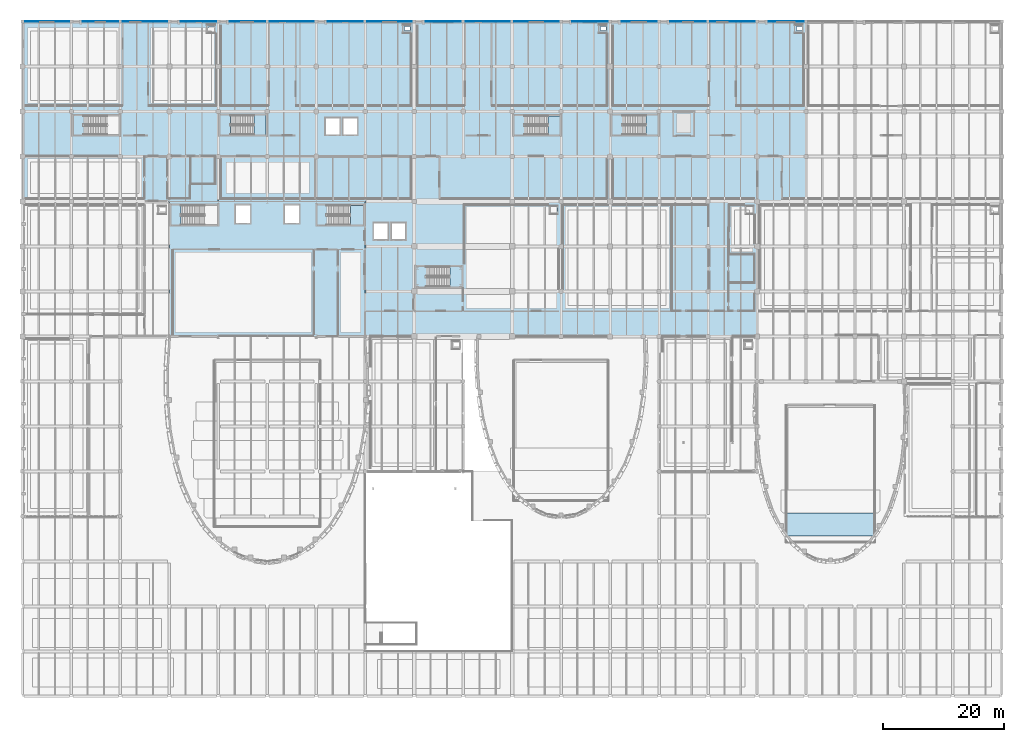
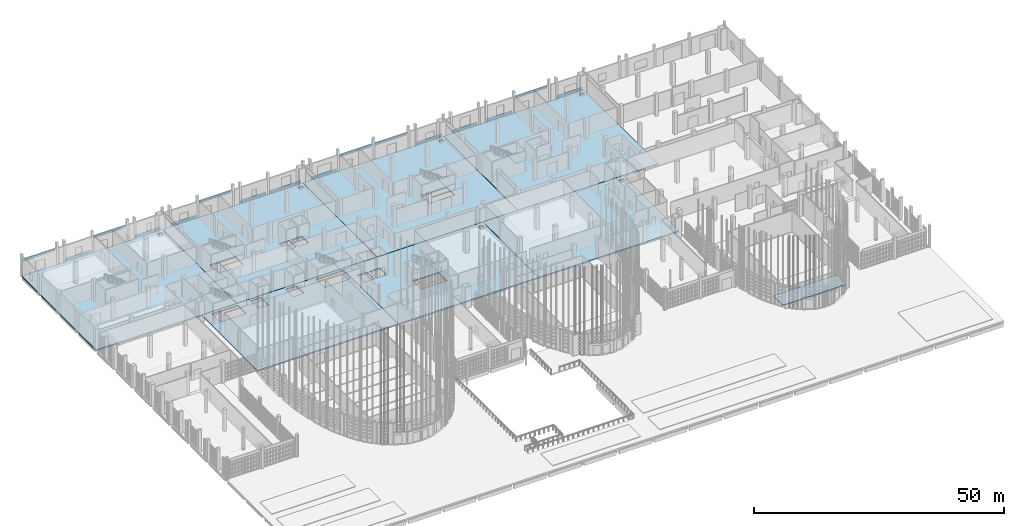
# One storey, part 338 of 372: 16 plates, 13 slabs, 5 elements without a shape of their own.
"""IFC4 building model written with IfcOpenShell, lengths in metres."""

from ifc_helpers import new_model, si_unit, direction, frame, origin, origin_2d, place, context, subcontext, project, spatial, polyline, rectangle, outline, extrude, material, layer, layer_set, type_object, element, aggregate, save


model = new_model("IFC4")

# Units and contexts
model_context = context("Model", 3, precision=1e-05, world=origin(), true_north=direction((0.0, 1.0)))
body_context = subcontext(model_context, "Body", "Model", "MODEL_VIEW")
ifc_project = project(units=[si_unit("LENGTHUNIT", "METRE"), si_unit("AREAUNIT", "SQUARE_METRE"), si_unit("VOLUMEUNIT", "CUBIC_METRE"), si_unit("PLANEANGLEUNIT", "RADIAN"), si_unit("MASSUNIT", "GRAM", prefix="KILO")], contexts=[model_context])

# Site, building, storey
site_placement = place(None, origin())
site = spatial("IfcSite", under=ifc_project, at=site_placement, CompositionType="ELEMENT")
building_placement = place(site_placement, origin())
building = spatial("IfcBuilding", under=site, at=building_placement, Name="Kaelora Sail Theatre", CompositionType="ELEMENT")
storey_placement = place(building_placement, origin())
storey = spatial("IfcBuildingStorey", under=building, at=storey_placement, Name="L00", CompositionType="ELEMENT", Elevation=0.0)

# Plates
ifc_material_1 = material(Name="Anodised perforated aluminium acoustic screen", Category="aluminium")
ifc_layer_1 = layer(ifc_material_1, 0.01611328125)
ifc_layer_set_1 = layer_set([ifc_layer_1], Name="Anodised perforated aluminium acoustic screen")
plate_type_1 = type_object("IfcPlateType", Name="ARC-PL-CLD-PRF-16", PredefinedType="USERDEFINED", material=ifc_layer_set_1)
for number, where, z_axis, x_axis, name in (
    (1, (21.75, 113.101318359375, 3.35693359375), (0.0, 0.0, 1.0), (1.0, 0.0, 0.0), "Postmodern Facade Entablature Spandrel L00 B03"),
    (2, (46.050048828125, 113.101318359375, 3.35693359375), (0.0, 0.0, 1.0), (1.0, 0.0, 0.0), "Postmodern Facade Entablature Spandrel L00 B06"),
):
    element("IfcPlate", number, at=place(storey_placement, frame(where, z_axis=z_axis, x_axis=x_axis)), inside=storey, type_object=plate_type_1, Name=name, ObjectType="ACOUSTIC SCREEN", PredefinedType="USERDEFINED", context=body_context, shape_type="SweptSolid", body=[
        extrude(rectangle(XDim=7.35009765625, YDim=0.01611328125, at=origin_2d()), origin(), (0.0, 0.0, 1.0), 0.719970703125),
    ])
plate_1_placement = place(storey_placement, frame((71.112548828125, 113.101318359375, 0.06005859375), z_axis=(0.0, 0.0, 1.0), x_axis=(1.0, 0.0, 0.0)))
element("IfcPlate", 3, at=plate_1_placement, inside=storey, type_object=plate_type_1, Name="Postmodern Facade Entablature Spandrel L00 B09", ObjectType="ACOUSTIC SCREEN", PredefinedType="USERDEFINED", context=body_context, shape_type="SweptSolid", body=[
    extrude(rectangle(XDim=5.824951171875, YDim=0.01611328125, at=origin_2d()), origin(), (0.0, 0.0, 1.0), 0.719970703125),
])
plate_2_placement = place(storey_placement, frame((95.39990234375, 113.101318359375, 0.06005859375), z_axis=(0.0, 0.0, 1.0), x_axis=(1.0, 0.0, 0.0)))
element("IfcPlate", 4, at=plate_2_placement, inside=storey, type_object=plate_type_1, Name="Postmodern Facade Entablature Spandrel L00 B12", ObjectType="ACOUSTIC SCREEN", PredefinedType="USERDEFINED", context=body_context, shape_type="SweptSolid", body=[
    extrude(rectangle(XDim=5.85009765625, YDim=0.01611328125, at=origin_2d()), origin(), (0.0, 0.0, 1.0), 0.719970703125),
])
plate_3_placement = place(storey_placement, frame((118.949951171875, 113.101318359375, 3.35693359375), z_axis=(0.0, 0.0, 1.0), x_axis=(1.0, 0.0, 0.0)))
element("IfcPlate", 5, at=plate_3_placement, inside=storey, type_object=plate_type_1, Name="Postmodern Facade Entablature Spandrel L00 B15", ObjectType="ACOUSTIC SCREEN", PredefinedType="USERDEFINED", context=body_context, shape_type="SweptSolid", body=[
    extrude(rectangle(XDim=7.35009765625, YDim=0.01611328125, at=origin_2d()), origin(), (0.0, 0.0, 1.0), 0.719970703125),
])
ifc_material_2 = material(Name="Architectural glazed terracotta ceramic panel", Category="masonry")
ifc_layer_2 = layer(ifc_material_2, 0.0400390625)
ifc_layer_set_2 = layer_set([ifc_layer_2], Name="Architectural glazed terracotta ceramic panel")
plate_type_2 = type_object("IfcPlateType", Name="ARC-PL-CLD-TER-40", PredefinedType="SHEET", material=ifc_layer_set_2)
plate_4_placement = place(storey_placement, frame((5.550048828125, 113.111083984375, 3.35693359375), z_axis=(0.0, 0.0, 1.0), x_axis=(1.0, 0.0, 0.0)))
element("IfcPlate", 6, at=plate_4_placement, inside=storey, type_object=plate_type_2, Name="Postmodern Facade Entablature Spandrel L00 B01", PredefinedType="SHEET", context=body_context, shape_type="SweptSolid", body=[
    extrude(rectangle(XDim=7.35009765625, YDim=0.0400390625, at=origin_2d()), origin(), (0.0, 0.0, 1.0), 0.719970703125),
])
for number, where, z_axis, x_axis, name in (
    (7, (30.60009765625, 113.111083984375, 0.06005859375), (0.0, 0.0, 1.0), (1.0, 0.0, 0.0), "Postmodern Facade Entablature Spandrel L00 B04"),
    (8, (54.89990234375, 113.111083984375, 0.06005859375), (0.0, 0.0, 1.0), (1.0, 0.0, 0.0), "Postmodern Facade Entablature Spandrel L00 B07"),
):
    element("IfcPlate", number, at=place(storey_placement, frame(where, z_axis=z_axis, x_axis=x_axis)), inside=storey, type_object=plate_type_2, Name=name, PredefinedType="SHEET", context=body_context, shape_type="SweptSolid", body=[
        extrude(rectangle(XDim=5.85009765625, YDim=0.0400390625, at=origin_2d()), origin(), (0.0, 0.0, 1.0), 0.719970703125),
    ])
plate_5_placement = place(storey_placement, frame((78.449951171875, 113.111083984375, 3.2568359375), z_axis=(0.0, 0.0, 1.0), x_axis=(1.0, 0.0, 0.0)))
element("IfcPlate", 9, at=plate_5_placement, inside=storey, type_object=plate_type_2, Name="Postmodern Facade Entablature Spandrel L00 B10", PredefinedType="SHEET", context=body_context, shape_type="SweptSolid", body=[
    extrude(rectangle(XDim=7.35009765625, YDim=0.0400390625, at=origin_2d()), origin(), (0.0, 0.0, 1.0), 0.719970703125),
])
for number, where, z_axis, x_axis, name in (
    (10, (103.512451171875, 113.111083984375, 0.06005859375), (0.0, 0.0, 1.0), (1.0, 0.0, 0.0), "Postmodern Facade Entablature Spandrel L00 B13"),
    (11, (127.8125, 113.111083984375, 0.06005859375), (0.0, 0.0, 1.0), (1.0, 0.0, 0.0), "Postmodern Facade Entablature Spandrel L00 B16"),
):
    element("IfcPlate", number, at=place(storey_placement, frame(where, z_axis=z_axis, x_axis=x_axis)), inside=storey, type_object=plate_type_2, Name=name, PredefinedType="SHEET", context=body_context, shape_type="SweptSolid", body=[
        extrude(rectangle(XDim=5.824951171875, YDim=0.0400390625, at=origin_2d()), origin(), (0.0, 0.0, 1.0), 0.719970703125),
    ])
ifc_material_3 = material(Name="Titanium-zinc acoustic standing-seam cassette", Category="metal")
ifc_layer_3 = layer(ifc_material_3, 0.028076171875)
ifc_layer_set_3 = layer_set([ifc_layer_3], Name="Titanium-zinc acoustic standing-seam cassette")
plate_type_3 = type_object("IfcPlateType", Name="ARC-PL-CLD-ZNC-28", PredefinedType="SHEET", material=ifc_layer_set_3)
for number, where, z_axis, x_axis, name in (
    (12, (14.41259765625, 113.106201171875, 0.06005859375), (0.0, 0.0, 1.0), (1.0, 0.0, 0.0), "Postmodern Facade Entablature Spandrel L00 B02"),
    (13, (38.71240234375, 113.106201171875, 0.06005859375), (0.0, 0.0, 1.0), (1.0, 0.0, 0.0), "Postmodern Facade Entablature Spandrel L00 B05"),
):
    element("IfcPlate", number, at=place(storey_placement, frame(where, z_axis=z_axis, x_axis=x_axis)), inside=storey, type_object=plate_type_3, Name=name, PredefinedType="SHEET", context=body_context, shape_type="SweptSolid", body=[
        extrude(rectangle(XDim=5.824951171875, YDim=0.028076171875, at=origin_2d()), origin(), (0.0, 0.0, 1.0), 0.719970703125),
    ])
for number, where, z_axis, x_axis, name in (
    (14, (62.25, 113.106201171875, 0.06005859375), (0.0, 0.0, 1.0), (1.0, 0.0, 0.0), "Postmodern Facade Entablature Spandrel L00 B08"),
    (15, (86.550048828125, 113.106201171875, 3.2568359375), (0.0, 0.0, 1.0), (1.0, 0.0, 0.0), "Postmodern Facade Entablature Spandrel L00 B11"),
):
    element("IfcPlate", number, at=place(storey_placement, frame(where, z_axis=z_axis, x_axis=x_axis)), inside=storey, type_object=plate_type_3, Name=name, PredefinedType="SHEET", context=body_context, shape_type="SweptSolid", body=[
        extrude(rectangle(XDim=7.35009765625, YDim=0.028076171875, at=origin_2d()), origin(), (0.0, 0.0, 1.0), 0.719970703125),
    ])
plate_6_placement = place(storey_placement, frame((111.60009765625, 113.106201171875, 0.06005859375), z_axis=(0.0, 0.0, 1.0), x_axis=(1.0, 0.0, 0.0)))
element("IfcPlate", 16, at=plate_6_placement, inside=storey, type_object=plate_type_3, Name="Postmodern Facade Entablature Spandrel L00 B14", PredefinedType="SHEET", context=body_context, shape_type="SweptSolid", body=[
    extrude(rectangle(XDim=5.85009765625, YDim=0.028076171875, at=origin_2d()), origin(), (0.0, 0.0, 1.0), 0.719970703125),
])

# Stair, slab
ifc_material_4 = material(Name="Concrete C40/50", Category="concrete")
stair_type_1 = type_object("IfcStairType", Name="ARC-ST-ESC150", PredefinedType="HALF_TURN_STAIR", material=ifc_material_4)
stair_1_placement = place(storey_placement, origin())
stair_1 = element("IfcStair", 17, at=stair_1_placement, inside=storey, type_object=stair_type_1, Name="L00 ST-K5", PredefinedType="HALF_TURN_STAIR")
ifc_material_5 = material(Name="Concrete C40/50", Category="concrete")
ifc_layer_4 = layer(ifc_material_5, 0.219970703125)
ifc_layer_set_4 = layer_set([ifc_layer_4], Name="Concrete C40/50")
slab_type_1 = type_object("IfcSlabType", Name="ARC-SLB-LND220", PredefinedType="LANDING", material=ifc_layer_set_4)
slab_1_placement = place(storey_placement, frame((0.0, 0.0, 2.5)))
slab_1 = element("IfcSlab", 18, at=slab_1_placement, type_object=slab_type_1, Name="ST-K5 landing 1", PredefinedType="LANDING", context=body_context, shape_type="SweptSolid", body=[
    extrude(outline(polyline([(55.72998046875, 79.449951171875), (57.89990234375, 79.449951171875), (57.89990234375, 82.699951171875), (55.72998046875, 82.699951171875), (55.72998046875, 79.449951171875)])), origin(), (0.0, 0.0, 1.0), 0.199951171875),
])
aggregate(stair_1, [slab_1])

stair_2_placement = place(storey_placement, origin())
stair_2 = element("IfcStair", 19, at=stair_2_placement, inside=storey, type_object=stair_type_1, Name="L00 ST-K2", PredefinedType="HALF_TURN_STAIR")
slab_2_placement = place(storey_placement, frame((0.0, 0.0, 2.5)))
slab_2 = element("IfcSlab", 20, at=slab_2_placement, type_object=slab_type_1, Name="ST-K2 landing 1", PredefinedType="LANDING", context=body_context, shape_type="SweptSolid", body=[
    extrude(outline(polyline([(39.820068359375, 94.35009765625), (41.800048828125, 94.35009765625), (41.800048828125, 97.60009765625), (39.820068359375, 97.60009765625), (39.820068359375, 94.35009765625)])), origin(), (0.0, 0.0, 1.0), 0.199951171875),
])
aggregate(stair_2, [slab_2])

stair_3_placement = place(storey_placement, origin())
stair_3 = element("IfcStair", 21, at=stair_3_placement, inside=storey, type_object=stair_type_1, Name="L00 ST-K3", PredefinedType="HALF_TURN_STAIR")
slab_3_placement = place(storey_placement, frame((0.0, 0.0, 2.5)))
slab_3 = element("IfcSlab", 22, at=slab_3_placement, type_object=slab_type_1, Name="ST-K3 landing 1", PredefinedType="LANDING", context=body_context, shape_type="SweptSolid", body=[
    extrude(outline(polyline([(88.419921875, 94.35009765625), (90.39990234375, 94.35009765625), (90.39990234375, 97.5), (88.419921875, 97.5), (88.419921875, 94.35009765625)])), origin(), (0.0, 0.0, 1.0), 0.199951171875),
])
aggregate(stair_3, [slab_3])

stair_4_placement = place(storey_placement, origin())
stair_4 = element("IfcStair", 23, at=stair_4_placement, inside=storey, type_object=stair_type_1, Name="L00 ST-K4", PredefinedType="HALF_TURN_STAIR")
slab_4_placement = place(storey_placement, frame((0.0, 0.0, 2.5)))
slab_4 = element("IfcSlab", 24, at=slab_4_placement, type_object=slab_type_1, Name="ST-K4 landing 1", PredefinedType="LANDING", context=body_context, shape_type="SweptSolid", body=[
    extrude(outline(polyline([(104.6201171875, 94.35009765625), (106.60009765625, 94.35009765625), (106.60009765625, 97.60009765625), (104.6201171875, 97.60009765625), (104.6201171875, 94.35009765625)])), origin(), (0.0, 0.0, 1.0), 0.199951171875),
])
aggregate(stair_4, [slab_4])

ifc_material_6 = material(Name="Precast concrete C45/55", Category="concrete")
stair_type_2 = type_object("IfcStairType", Name="ARC-ST-FOY165", PredefinedType="HALF_TURN_STAIR", material=ifc_material_6)
stair_5_placement = place(storey_placement, origin())
stair_5 = element("IfcStair", 25, at=stair_5_placement, inside=storey, type_object=stair_type_2, Name="L00 ST-F1", PredefinedType="HALF_TURN_STAIR")
ifc_material_7 = material(Name="Precast concrete C45/55", Category="concrete")
ifc_layer_5 = layer(ifc_material_7, 0.239990234375)
ifc_layer_set_5 = layer_set([ifc_layer_5], Name="Precast concrete C45/55")
slab_type_2 = type_object("IfcSlabType", Name="ARC-SLB-LND240", PredefinedType="LANDING", material=ifc_layer_set_5)
slab_5_placement = place(storey_placement, frame((0.0, 0.0, 2.5)))
slab_5 = element("IfcSlab", 26, at=slab_5_placement, type_object=slab_type_2, Name="ST-F1 landing 1", PredefinedType="LANDING", context=body_context, shape_type="SweptSolid", body=[
    extrude(outline(polyline([(72.18994140625, 69.199951171875), (74.169921875, 69.199951171875), (74.169921875, 72.550048828125), (72.18994140625, 72.550048828125), (72.18994140625, 69.199951171875)])), origin(), (0.0, 0.0, 1.0), 0.199951171875),
])
aggregate(stair_5, [slab_5])

# Slabs
ifc_material_8 = material(Name="Concrete C45/55", Category="concrete")
ifc_layer_6 = layer(ifc_material_8, 0.320068359375)
ifc_layer_set_6 = layer_set([ifc_layer_6], Name="Concrete C45/55")
slab_type_3 = type_object("IfcSlabType", Name="STR-SLB-SL-FL320", PredefinedType="FLOOR", material=ifc_layer_set_6)
slab_6_placement = place(storey_placement, frame((0.0, 0.0, -0.320068359375)))
element("IfcSlab", 27, at=slab_6_placement, inside=storey, type_object=slab_type_3, Name="Fly Tower stage/gallery slab (L00)", PredefinedType="FLOOR", context=body_context, shape_type="SweptSolid", body=[
    extrude(outline(polyline([(25.800048828125, 61.034912109375), (58.199951171875, 61.034912109375), (58.199951171875, 83.324951171875), (25.800048828125, 83.324951171875), (25.800048828125, 61.034912109375)]), holes=[polyline([(27.7548828125, 79.449951171875), (33.800048828125, 79.449951171875), (33.800048828125, 82.699951171875), (27.7548828125, 82.699951171875), (27.7548828125, 79.449951171875)]), polyline([(51.85498046875, 79.449951171875), (57.89990234375, 79.449951171875), (57.89990234375, 82.699951171875), (51.85498046875, 82.699951171875), (51.85498046875, 79.449951171875)]), polyline([(36.75, 79.75), (39.14990234375, 79.75), (39.14990234375, 82.75), (36.75, 82.75), (36.75, 79.75)]), polyline([(44.85009765625, 79.75), (47.25, 79.75), (47.25, 82.75), (44.85009765625, 82.75), (44.85009765625, 79.75)])]), origin(), (0.0, 0.0, 1.0), 0.320068359375),
])
slab_7_placement = place(storey_placement, frame((0.0, 0.0, -0.320068359375)))
element("IfcSlab", 28, at=slab_7_placement, inside=storey, type_object=slab_type_3, Name="North Wing floor slab NW1 (L00)", PredefinedType="FLOOR", context=body_context, shape_type="SweptSolid", body=[
    extrude(outline(polyline([(1.5, 83.35498046875), (1.5, 113.10009765625), (33.885009765625, 113.10009765625), (33.885009765625, 83.35498046875), (1.5, 83.35498046875)]), holes=[polyline([(32.3349609375, 111.64990234375), (33.235107421875, 111.64990234375), (33.235107421875, 112.300048828125), (32.3349609375, 112.300048828125), (32.3349609375, 111.64990234375)])]), origin(), (0.0, 0.0, 1.0), 0.320068359375),
])
slab_8_placement = place(storey_placement, frame((0.0, 0.0, -0.320068359375)))
element("IfcSlab", 29, at=slab_8_placement, inside=storey, type_object=slab_type_3, Name="North Wing floor slab NW2 (L00)", PredefinedType="FLOOR", context=body_context, shape_type="SweptSolid", body=[
    extrude(outline(polyline([(33.9150390625, 83.35498046875), (33.9150390625, 113.10009765625), (66.284912109375, 113.10009765625), (66.284912109375, 83.35498046875), (33.9150390625, 83.35498046875)]), holes=[polyline([(35.945068359375, 94.35009765625), (41.800048828125, 94.35009765625), (41.800048828125, 97.60009765625), (35.945068359375, 97.60009765625), (35.945068359375, 94.35009765625)]), polyline([(51.64990234375, 94.39990234375), (53.949951171875, 94.39990234375), (53.949951171875, 97.10009765625), (51.64990234375, 97.10009765625), (51.64990234375, 94.39990234375)]), polyline([(54.550048828125, 94.39990234375), (56.85009765625, 94.39990234375), (56.85009765625, 97.10009765625), (54.550048828125, 97.10009765625), (54.550048828125, 94.39990234375)]), polyline([(64.735107421875, 111.64990234375), (65.635009765625, 111.64990234375), (65.635009765625, 112.300048828125), (64.735107421875, 112.300048828125), (64.735107421875, 111.64990234375)])]), origin(), (0.0, 0.0, 1.0), 0.320068359375),
])
slab_9_placement = place(storey_placement, frame((0.0, 0.0, -0.320068359375)))
element("IfcSlab", 30, at=slab_9_placement, inside=storey, type_object=slab_type_3, Name="North Wing floor slab NW3 (L00)", PredefinedType="FLOOR", context=body_context, shape_type="SweptSolid", body=[
    extrude(outline(polyline([(66.31494140625, 83.35498046875), (66.31494140625, 113.10009765625), (98.68505859375, 113.10009765625), (98.68505859375, 83.35498046875), (66.31494140625, 83.35498046875)]), holes=[polyline([(84.544921875, 94.35009765625), (90.39990234375, 94.35009765625), (90.39990234375, 97.5), (84.544921875, 97.5), (84.544921875, 94.35009765625)]), polyline([(97.135009765625, 111.64990234375), (98.034912109375, 111.64990234375), (98.034912109375, 112.300048828125), (97.135009765625, 112.300048828125), (97.135009765625, 111.64990234375)])]), origin(), (0.0, 0.0, 1.0), 0.320068359375),
])
slab_10_placement = place(storey_placement, frame((0.0, 0.0, -0.320068359375)))
element("IfcSlab", 31, at=slab_10_placement, inside=storey, type_object=slab_type_3, Name="North Wing floor slab NW4 (L00)", PredefinedType="FLOOR", context=body_context, shape_type="SweptSolid", body=[
    extrude(outline(polyline([(98.715087890625, 83.35498046875), (98.715087890625, 113.10009765625), (131.0849609375, 113.10009765625), (131.0849609375, 83.35498046875), (98.715087890625, 83.35498046875)]), holes=[polyline([(129.534912109375, 111.64990234375), (130.43505859375, 111.64990234375), (130.43505859375, 112.300048828125), (129.534912109375, 112.300048828125), (129.534912109375, 111.64990234375)])]), origin(), (0.0, 0.0, 1.0), 0.320068359375),
])
slab_11_placement = place(storey_placement, frame((0.0, 0.0, -0.320068359375)))
element("IfcSlab", 32, at=slab_11_placement, inside=storey, type_object=slab_type_3, Name="Glazed Foyer floor slab FC1 (L00)", PredefinedType="FLOOR", context=body_context, shape_type="SweptSolid", body=[
    extrude(outline(polyline([(58.215087890625, 61.034912109375), (90.5849609375, 61.034912109375), (90.5849609375, 83.324951171875), (58.215087890625, 83.324951171875), (58.215087890625, 61.034912109375)]), holes=[polyline([(68.31494140625, 69.199951171875), (74.169921875, 69.199951171875), (74.169921875, 72.550048828125), (68.31494140625, 72.550048828125), (68.31494140625, 69.199951171875)]), polyline([(59.64990234375, 77.050048828125), (61.949951171875, 77.050048828125), (61.949951171875, 79.75), (59.64990234375, 79.75), (59.64990234375, 77.050048828125)]), polyline([(62.550048828125, 77.050048828125), (64.85009765625, 77.050048828125), (64.85009765625, 79.75), (62.550048828125, 79.75), (62.550048828125, 77.050048828125)]), polyline([(89.034912109375, 81.675048828125), (89.93505859375, 81.675048828125), (89.93505859375, 82.324951171875), (89.034912109375, 82.324951171875), (89.034912109375, 81.675048828125)])]), origin(), (0.0, 0.0, 1.0), 0.320068359375),
])
slab_12_placement = place(storey_placement, frame((0.0, 0.0, -0.320068359375)))
element("IfcSlab", 33, at=slab_12_placement, inside=storey, type_object=slab_type_3, Name="Glazed Foyer floor slab FC2 (L00)", PredefinedType="FLOOR", context=body_context, shape_type="SweptSolid", body=[
    extrude(outline(polyline([(90.614990234375, 61.034912109375), (122.985107421875, 61.034912109375), (122.985107421875, 83.324951171875), (90.614990234375, 83.324951171875), (90.614990234375, 61.034912109375)]), holes=[polyline([(121.43505859375, 81.675048828125), (122.3349609375, 81.675048828125), (122.3349609375, 82.324951171875), (121.43505859375, 82.324951171875), (121.43505859375, 81.675048828125)])]), origin(), (0.0, 0.0, 1.0), 0.320068359375),
])
ifc_material_9 = material(Name="Precast concrete C45/55", Category="concrete")
ifc_layer_7 = layer(ifc_material_9, 0.159912109375)
ifc_layer_set_7 = layer_set([ifc_layer_7], Name="Precast concrete C45/55")
slab_type_4 = type_object("IfcSlabType", Name="STR-SLB-SL-ST160", PredefinedType="USERDEFINED", material=ifc_layer_set_7)
slab_13_placement = place(storey_placement, origin())
element("IfcSlab", 34, at=slab_13_placement, inside=storey, type_object=slab_type_4, Name="Auditorium seating tier ST-B01", ObjectType="SEATING TIER", PredefinedType="USERDEFINED", context=body_context, shape_type="SweptSolid", body=[
    extrude(outline(polyline([(128.14990234375, 28.0), (142.14990234375, 28.0), (142.5, 28.35009765625), (142.5, 31.800048828125), (127.800048828125, 31.800048828125), (127.800048828125, 28.35009765625), (128.14990234375, 28.0)])), origin(), (0.0, 0.0, 1.0), 0.239990234375),
])

save(model, "model.ifc")
